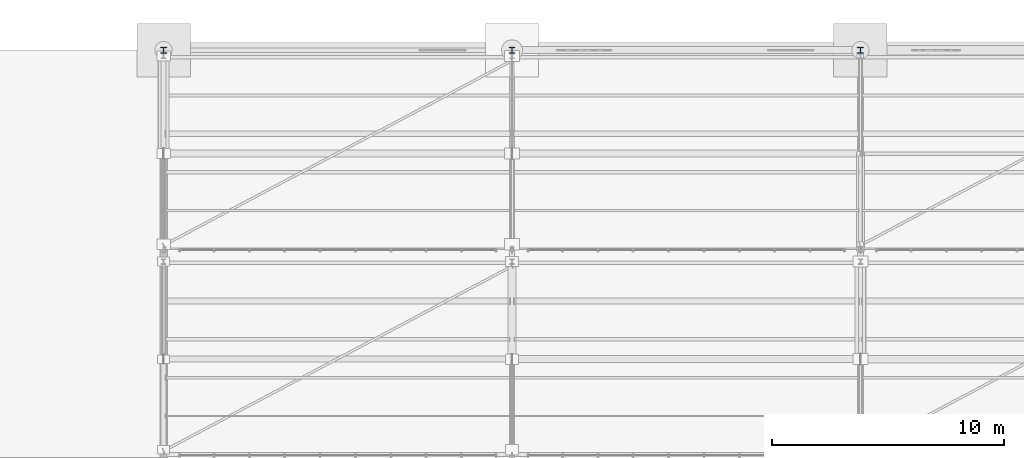
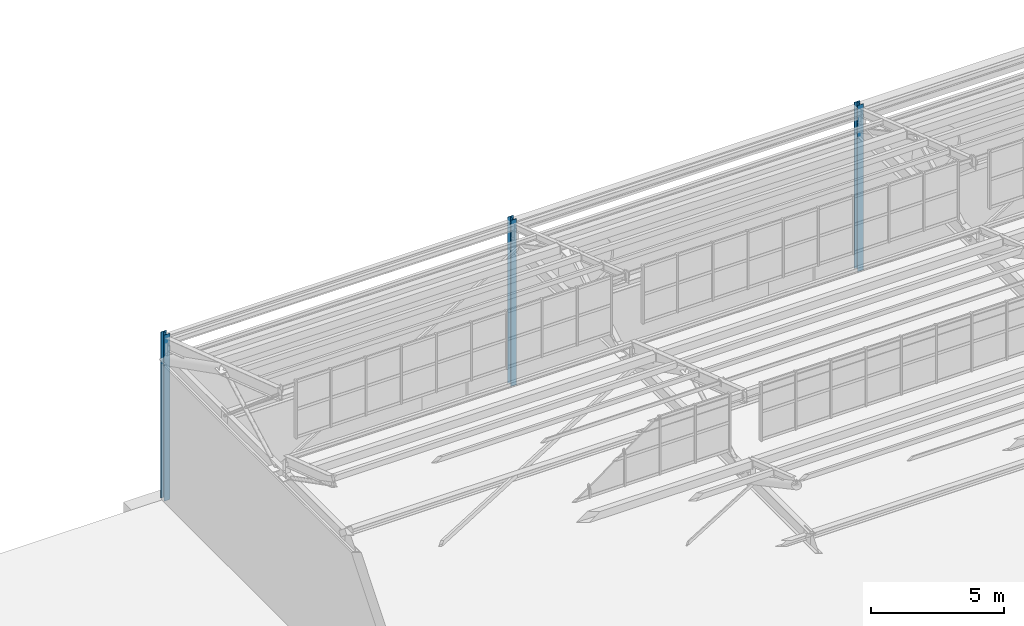
# One storey, part 36 of 285: 3 columns.
"""IFC4 building model written with IfcOpenShell, lengths in metres."""

from ifc_helpers import new_model, si_unit, direction, frame, origin, origin_2d, place, context, subcontext, project, spatial, i_section, extrude, material, material_profile, profile_set, type_object, element, save


model = new_model("IFC4")

# Units and contexts
model_context = context("Model", 3, precision=1e-05, world=origin(), true_north=direction((0.0, 1.0)))
body_context = subcontext(model_context, "Body", "Model", "MODEL_VIEW")
ifc_project = project(units=[si_unit("LENGTHUNIT", "METRE"), si_unit("AREAUNIT", "SQUARE_METRE"), si_unit("VOLUMEUNIT", "CUBIC_METRE"), si_unit("PLANEANGLEUNIT", "RADIAN"), si_unit("MASSUNIT", "GRAM", prefix="KILO")], contexts=[model_context])

# Site, building, storey
site_placement = place(None, origin())
site = spatial("IfcSite", under=ifc_project, at=site_placement, CompositionType="ELEMENT")
building_placement = place(site_placement, origin())
building = spatial("IfcBuilding", under=site, at=building_placement, Name="Solanera Park Tramway Depot", CompositionType="ELEMENT")
storey_placement = place(building_placement, origin())
storey = spatial("IfcBuildingStorey", under=building, at=storey_placement, Name="L00", CompositionType="ELEMENT", Elevation=0.0)

# Columns
ifc_material = material(Name="Steel AS/NZS 3679.1 Grade 350", Category="steel")
ifc_material_profile = material_profile(ifc_material, i_section(OverallWidth=0.255615234375, OverallDepth=0.260009765625, WebThickness=0.010498046875, FlangeThickness=0.017333984375, at=origin_2d()), Name="250UC89.5")
ifc_profile_set = profile_set([ifc_material_profile], Name="Steel AS/NZS 3679.1 Grade 350")
column_type = type_object("IfcColumnType", Name="Steel Column Ext 250UC89.5", PredefinedType="COLUMN", material=ifc_profile_set)
for number, where, z_axis, x_axis, name in (
    (1, (90.0, 144.0, 0.0), (0.0, 0.0, 1.0), (1.0, 0.0, 0.0), "L00 Column V1-X900-Y1440"),
    (2, (105.0, 144.0, 0.0), (0.0, 0.0, 1.0), (1.0, 0.0, 0.0), "L00 Column V1-X1050-Y1440"),
    (3, (120.0, 144.0, 0.0), (0.0, 0.0, 1.0), (1.0, 0.0, 0.0), "L00 Column V1-X1200-Y1440"),
):
    element("IfcColumn", number, at=place(storey_placement, frame(where, z_axis=z_axis, x_axis=x_axis)), inside=storey, type_object=column_type, Name=name, PredefinedType="COLUMN", context=body_context, shape_type="SweptSolid", body=[
        extrude(i_section(OverallWidth=0.255615234375, OverallDepth=0.260009765625, WebThickness=0.010498046875, FlangeThickness=0.017333984375, at=origin_2d()), origin(), (0.0, 0.0, 1.0), 7.60009765625),
    ])

save(model, "model.ifc")
